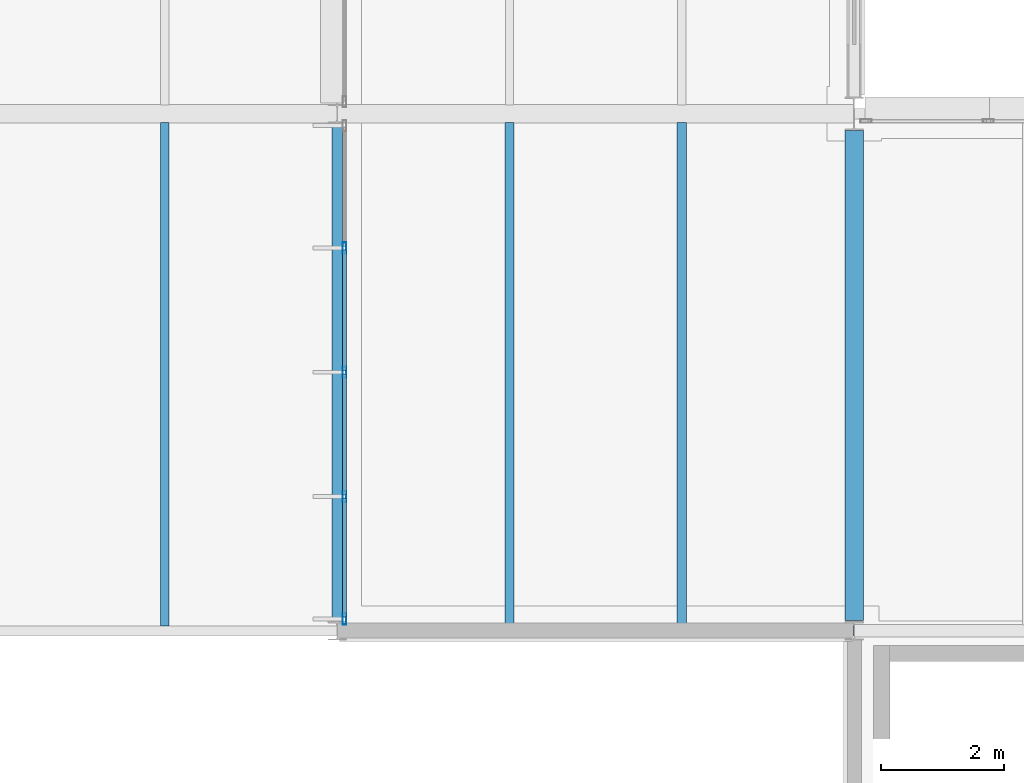
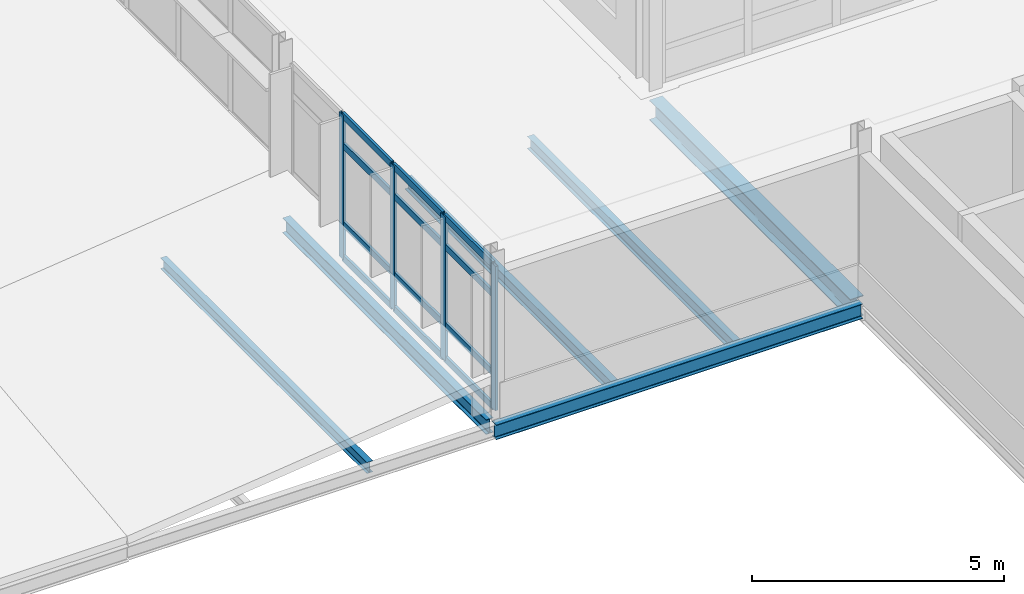
# One storey, part 15 of 131: 16 members, 6 beams, 1 element without a shape of its own.
"""IFC4 building model written with IfcOpenShell, lengths in metres."""

from ifc_helpers import new_model, si_unit, direction, frame, origin, origin_2d, place, context, subcontext, project, spatial, hollow_rectangle, i_section, extrude, material, material_profile, profile_set, type_object, element, aggregate, save


model = new_model("IFC4")

# Units and contexts
model_context = context("Model", 3, precision=1e-05, world=origin(), true_north=direction((0.0, 1.0)))
body_context = subcontext(model_context, "Body", "Model", "MODEL_VIEW")
ifc_project = project(units=[si_unit("LENGTHUNIT", "METRE"), si_unit("AREAUNIT", "SQUARE_METRE"), si_unit("VOLUMEUNIT", "CUBIC_METRE"), si_unit("PLANEANGLEUNIT", "RADIAN"), si_unit("MASSUNIT", "GRAM", prefix="KILO")], contexts=[model_context])

# Site, building, storey
site_placement = place(None, origin())
site = spatial("IfcSite", under=ifc_project, at=site_placement, CompositionType="ELEMENT")
building_placement = place(site_placement, origin())
building = spatial("IfcBuilding", under=site, at=building_placement, Name="Mersafa Astral City Hall", CompositionType="ELEMENT")
storey_placement = place(building_placement, frame((0.0, 0.0, 13.949951171875)))
storey = spatial("IfcBuildingStorey", under=building, at=storey_placement, Name="L03", CompositionType="ELEMENT", Elevation=13.949951171875)

# Curtain wall, members
ifc_material_1 = material(Name="Anodised bronze aluminium framing", Category="aluminium")
curtain_wall_type = type_object("IfcCurtainWallType", Name="ENV-CW-5", PredefinedType="USERDEFINED", material=ifc_material_1)
curtain_wall_placement = place(storey_placement, origin())
curtain_wall = element("IfcCurtainWall", 1, at=curtain_wall_placement, inside=storey, type_object=curtain_wall_type, Name="L03 Unitised solar curtain wall 148", ObjectType="UNITISED CURTAIN WALL", PredefinedType="USERDEFINED")
ifc_material_profile_1 = material_profile(ifc_material_1, hollow_rectangle(XDim=0.06005859375, YDim=0.179931640625, WallThickness=0.00390625, at=origin_2d()), Name="RHS 60x180x4")
ifc_profile_set_1 = profile_set([ifc_material_profile_1], Name="Anodised bronze aluminium framing")
member_type_1 = type_object("IfcMemberType", Name="ENV-CW-MUL-1", PredefinedType="MULLION", material=ifc_profile_set_1)
member_1_placement = place(storey_placement, frame((109.320068359375, 31.4189453125, -0.001953125), z_axis=(0.0, 0.0, 1.0), x_axis=(1.0, 0.0, 0.0)))
member_1 = element("IfcMember", 2, at=member_1_placement, type_object=member_type_1, Name="CW-5 mullion 2", PredefinedType="MULLION", context=body_context, shape_type="SweptSolid", body=[
    extrude(hollow_rectangle(XDim=0.06005859375, YDim=0.179931640625, WallThickness=0.00390625, at=origin_2d()), origin(), (0.0, 0.0, 1.0), 3.489013671875),
])
member_2_placement = place(storey_placement, frame((109.320068359375, 29.39990234375, -0.001953125), z_axis=(0.0, 0.0, 1.0), x_axis=(1.0, 0.0, 0.0)))
member_2 = element("IfcMember", 3, at=member_2_placement, type_object=member_type_1, Name="CW-5 mullion 3", PredefinedType="MULLION", context=body_context, shape_type="SweptSolid", body=[
    extrude(hollow_rectangle(XDim=0.06005859375, YDim=0.179931640625, WallThickness=0.00390625, at=origin_2d()), origin(), (0.0, 0.0, 1.0), 3.489013671875),
])
member_3_placement = place(storey_placement, frame((109.320068359375, 27.381103515625, -0.001953125), z_axis=(0.0, 0.0, 1.0), x_axis=(1.0, 0.0, 0.0)))
member_3 = element("IfcMember", 4, at=member_3_placement, type_object=member_type_1, Name="CW-5 mullion 4", PredefinedType="MULLION", context=body_context, shape_type="SweptSolid", body=[
    extrude(hollow_rectangle(XDim=0.06005859375, YDim=0.179931640625, WallThickness=0.00390625, at=origin_2d()), origin(), (0.0, 0.0, 1.0), 3.489013671875),
])
member_4_placement = place(storey_placement, frame((109.320068359375, 25.39208984375, -0.001953125), z_axis=(0.0, 0.0, 1.0), x_axis=(1.0, 0.0, 0.0)))
member_4 = element("IfcMember", 5, at=member_4_placement, type_object=member_type_1, Name="CW-5 mullion 5", PredefinedType="MULLION", context=body_context, shape_type="SweptSolid", body=[
    extrude(hollow_rectangle(XDim=0.06005859375, YDim=0.179931640625, WallThickness=0.00390625, at=origin_2d()), origin(), (0.0, 0.0, 1.0), 3.489013671875),
])
ifc_material_profile_2 = material_profile(ifc_material_1, hollow_rectangle(XDim=0.06005859375, YDim=0.159912109375, WallThickness=0.00390625, at=origin_2d()), Name="RHS 60x160x4")
ifc_profile_set_2 = profile_set([ifc_material_profile_2], Name="Anodised bronze aluminium framing")
member_type_2 = type_object("IfcMemberType", Name="ENV-CW-TRN-2", PredefinedType="USERDEFINED", material=ifc_profile_set_2)
member_5_placement = place(storey_placement, frame((109.320068359375, 31.388916015625, 0.028076171875), z_axis=(0.0, -1.0, 0.0), x_axis=(1.0, 0.0, 0.0)))
member_5 = element("IfcMember", 6, at=member_5_placement, type_object=member_type_2, Name="CW-5 transom 2.1", ObjectType="TRANSOM", PredefinedType="USERDEFINED", context=body_context, shape_type="SweptSolid", body=[
    extrude(hollow_rectangle(XDim=0.06005859375, YDim=0.159912109375, WallThickness=0.00390625, at=origin_2d()), origin(), (0.0, 0.0, 1.0), 1.958984375),
])
member_6_placement = place(storey_placement, frame((109.320068359375, 31.388916015625, 0.85009765625), z_axis=(0.0, -1.0, 0.0), x_axis=(1.0, 0.0, 0.0)))
member_6 = element("IfcMember", 7, at=member_6_placement, type_object=member_type_2, Name="CW-5 transom 2.2", ObjectType="TRANSOM", PredefinedType="USERDEFINED", context=body_context, shape_type="SweptSolid", body=[
    extrude(hollow_rectangle(XDim=0.06005859375, YDim=0.159912109375, WallThickness=0.00390625, at=origin_2d()), origin(), (0.0, 0.0, 1.0), 1.958984375),
])
member_7_placement = place(storey_placement, frame((109.320068359375, 31.388916015625, 2.75), z_axis=(0.0, -1.0, 0.0), x_axis=(1.0, 0.0, 0.0)))
member_7 = element("IfcMember", 8, at=member_7_placement, type_object=member_type_2, Name="CW-5 transom 2.3", ObjectType="TRANSOM", PredefinedType="USERDEFINED", context=body_context, shape_type="SweptSolid", body=[
    extrude(hollow_rectangle(XDim=0.06005859375, YDim=0.159912109375, WallThickness=0.00390625, at=origin_2d()), origin(), (0.0, 0.0, 1.0), 1.958984375),
])
member_8_placement = place(storey_placement, frame((109.320068359375, 31.388916015625, 3.45703125), z_axis=(0.0, -1.0, 0.0), x_axis=(1.0, 0.0, 0.0)))
member_8 = element("IfcMember", 9, at=member_8_placement, type_object=member_type_2, Name="CW-5 transom 2.4", ObjectType="TRANSOM", PredefinedType="USERDEFINED", context=body_context, shape_type="SweptSolid", body=[
    extrude(hollow_rectangle(XDim=0.06005859375, YDim=0.159912109375, WallThickness=0.00390625, at=origin_2d()), origin(), (0.0, 0.0, 1.0), 1.958984375),
])
member_9_placement = place(storey_placement, frame((109.320068359375, 29.3701171875, 0.028076171875), z_axis=(0.0, -1.0, 0.0), x_axis=(1.0, 0.0, 0.0)))
member_9 = element("IfcMember", 10, at=member_9_placement, type_object=member_type_2, Name="CW-5 transom 3.1", ObjectType="TRANSOM", PredefinedType="USERDEFINED", context=body_context, shape_type="SweptSolid", body=[
    extrude(hollow_rectangle(XDim=0.06005859375, YDim=0.159912109375, WallThickness=0.00390625, at=origin_2d()), origin(), (0.0, 0.0, 1.0), 1.959228515625),
])
member_10_placement = place(storey_placement, frame((109.320068359375, 29.3701171875, 0.85009765625), z_axis=(0.0, -1.0, 0.0), x_axis=(1.0, 0.0, 0.0)))
member_10 = element("IfcMember", 11, at=member_10_placement, type_object=member_type_2, Name="CW-5 transom 3.2", ObjectType="TRANSOM", PredefinedType="USERDEFINED", context=body_context, shape_type="SweptSolid", body=[
    extrude(hollow_rectangle(XDim=0.06005859375, YDim=0.159912109375, WallThickness=0.00390625, at=origin_2d()), origin(), (0.0, 0.0, 1.0), 1.959228515625),
])
member_11_placement = place(storey_placement, frame((109.320068359375, 29.3701171875, 2.75), z_axis=(0.0, -1.0, 0.0), x_axis=(1.0, 0.0, 0.0)))
member_11 = element("IfcMember", 12, at=member_11_placement, type_object=member_type_2, Name="CW-5 transom 3.3", ObjectType="TRANSOM", PredefinedType="USERDEFINED", context=body_context, shape_type="SweptSolid", body=[
    extrude(hollow_rectangle(XDim=0.06005859375, YDim=0.159912109375, WallThickness=0.00390625, at=origin_2d()), origin(), (0.0, 0.0, 1.0), 1.959228515625),
])
member_12_placement = place(storey_placement, frame((109.320068359375, 29.3701171875, 3.45703125), z_axis=(0.0, -1.0, 0.0), x_axis=(1.0, 0.0, 0.0)))
member_12 = element("IfcMember", 13, at=member_12_placement, type_object=member_type_2, Name="CW-5 transom 3.4", ObjectType="TRANSOM", PredefinedType="USERDEFINED", context=body_context, shape_type="SweptSolid", body=[
    extrude(hollow_rectangle(XDim=0.06005859375, YDim=0.159912109375, WallThickness=0.00390625, at=origin_2d()), origin(), (0.0, 0.0, 1.0), 1.959228515625),
])
member_13_placement = place(storey_placement, frame((109.320068359375, 27.35107421875, 0.028076171875), z_axis=(0.0, -1.0, 0.0), x_axis=(1.0, 0.0, 0.0)))
member_13 = element("IfcMember", 14, at=member_13_placement, type_object=member_type_2, Name="CW-5 transom 4.1", ObjectType="TRANSOM", PredefinedType="USERDEFINED", context=body_context, shape_type="SweptSolid", body=[
    extrude(hollow_rectangle(XDim=0.06005859375, YDim=0.159912109375, WallThickness=0.00390625, at=origin_2d()), origin(), (0.0, 0.0, 1.0), 1.928955078125),
])
member_14_placement = place(storey_placement, frame((109.320068359375, 27.35107421875, 0.85009765625), z_axis=(0.0, -1.0, 0.0), x_axis=(1.0, 0.0, 0.0)))
member_14 = element("IfcMember", 15, at=member_14_placement, type_object=member_type_2, Name="CW-5 transom 4.2", ObjectType="TRANSOM", PredefinedType="USERDEFINED", context=body_context, shape_type="SweptSolid", body=[
    extrude(hollow_rectangle(XDim=0.06005859375, YDim=0.159912109375, WallThickness=0.00390625, at=origin_2d()), origin(), (0.0, 0.0, 1.0), 1.928955078125),
])
member_15_placement = place(storey_placement, frame((109.320068359375, 27.35107421875, 2.75), z_axis=(0.0, -1.0, 0.0), x_axis=(1.0, 0.0, 0.0)))
member_15 = element("IfcMember", 16, at=member_15_placement, type_object=member_type_2, Name="CW-5 transom 4.3", ObjectType="TRANSOM", PredefinedType="USERDEFINED", context=body_context, shape_type="SweptSolid", body=[
    extrude(hollow_rectangle(XDim=0.06005859375, YDim=0.159912109375, WallThickness=0.00390625, at=origin_2d()), origin(), (0.0, 0.0, 1.0), 1.928955078125),
])
member_16_placement = place(storey_placement, frame((109.320068359375, 27.35107421875, 3.45703125), z_axis=(0.0, -1.0, 0.0), x_axis=(1.0, 0.0, 0.0)))
member_16 = element("IfcMember", 17, at=member_16_placement, type_object=member_type_2, Name="CW-5 transom 4.4", ObjectType="TRANSOM", PredefinedType="USERDEFINED", context=body_context, shape_type="SweptSolid", body=[
    extrude(hollow_rectangle(XDim=0.06005859375, YDim=0.159912109375, WallThickness=0.00390625, at=origin_2d()), origin(), (0.0, 0.0, 1.0), 1.928955078125),
])
aggregate(curtain_wall, [member_1, member_2, member_3, member_4, member_5, member_6, member_7, member_8, member_9, member_10, member_11, member_12, member_13, member_14, member_15, member_16])

# Beams
ifc_material_2 = material(Name="Steel S355", Category="steel")
ifc_material_profile_3 = material_profile(ifc_material_2, i_section(OverallWidth=0.300048828125, OverallDepth=0.489990234375, WebThickness=0.011962890625, FlangeThickness=0.02294921875, FilletRadius=0.027099609375, at=origin_2d()), Name="HEA 500")
ifc_profile_set_3 = profile_set([ifc_material_profile_3], Name="Steel S355")
beam_type_1 = type_object("IfcBeamType", Name="STR-BM-HEA500", PredefinedType="BEAM", material=ifc_profile_set_3)
beam_1_placement = place(storey_placement, frame((117.60009765625, 25.364990234375, -0.445068359375), z_axis=(0.0, 1.0, 0.0), x_axis=(-1.0, 0.0, 0.0)))
element("IfcBeam", 18, at=beam_1_placement, inside=storey, type_object=beam_type_1, Name="L03 Primary girder Y 14-3", PredefinedType="BEAM", context=body_context, shape_type="SweptSolid", body=[
    extrude(i_section(OverallWidth=0.300048828125, OverallDepth=0.489990234375, WebThickness=0.011962890625, FlangeThickness=0.02294921875, FilletRadius=0.027099609375, at=origin_2d()), origin(), (0.0, 0.0, 1.0), 7.965087890625),
])
ifc_material_profile_4 = material_profile(ifc_material_2, i_section(OverallWidth=0.135009765625, OverallDepth=0.27001953125, WebThickness=0.006591796875, FlangeThickness=0.01025390625, FilletRadius=0.014892578125, at=origin_2d()), Name="IPE 270")
ifc_profile_set_4 = profile_set([ifc_material_profile_4], Name="Steel S355")
beam_type_2 = type_object("IfcBeamType", Name="STR-BM-JOIST-IPE270", PredefinedType="JOIST", material=ifc_profile_set_4)
beam_2_placement = place(storey_placement, frame((106.39990234375, 25.27490234375, -0.3349609375), z_axis=(0.0, 1.0, 0.0), x_axis=(-1.0, 0.0, 0.0)))
element("IfcBeam", 19, at=beam_2_placement, inside=storey, type_object=beam_type_2, Name="L03 Flat roof secondary joist 20", PredefinedType="JOIST", context=body_context, shape_type="SweptSolid", body=[
    extrude(i_section(OverallWidth=0.135009765625, OverallDepth=0.27001953125, WebThickness=0.006591796875, FlangeThickness=0.01025390625, FilletRadius=0.014892578125, at=origin_2d()), origin(), (0.0, 0.0, 1.0), 8.18017578125),
])
ifc_material_profile_5 = material_profile(ifc_material_2, i_section(OverallWidth=0.14990234375, OverallDepth=0.300048828125, WebThickness=0.007080078125, FlangeThickness=0.0107421875, FilletRadius=0.014892578125, at=origin_2d()), Name="IPE 300")
ifc_profile_set_5 = profile_set([ifc_material_profile_5], Name="Steel S355")
beam_type_3 = type_object("IfcBeamType", Name="STR-BM-JOIST-IPE300", PredefinedType="JOIST", material=ifc_profile_set_5)
for number, where, z_axis, x_axis, name in (
    (20, (112.0, 25.280029296875, -0.349853515625), (0.0, 1.0, 0.0), (-1.0, 0.0, 0.0), "L03 Composite secondary floor joist 606"),
    (21, (114.800048828125, 25.280029296875, -0.349853515625), (0.0, 1.0, 0.0), (-1.0, 0.0, 0.0), "L03 Composite secondary floor joist 607"),
):
    element("IfcBeam", number, at=place(storey_placement, frame(where, z_axis=z_axis, x_axis=x_axis)), inside=storey, type_object=beam_type_3, Name=name, PredefinedType="JOIST", context=body_context, shape_type="SweptSolid", body=[
        extrude(i_section(OverallWidth=0.14990234375, OverallDepth=0.300048828125, WebThickness=0.007080078125, FlangeThickness=0.0107421875, FilletRadius=0.014892578125, at=origin_2d()), origin(), (0.0, 0.0, 1.0), 8.175048828125),
    ])
ifc_material_profile_6 = material_profile(ifc_material_2, i_section(OverallWidth=0.169921875, OverallDepth=0.360107421875, WebThickness=0.008056640625, FlangeThickness=0.0126953125, FilletRadius=0.01806640625, at=origin_2d()), Name="IPE 360")
ifc_profile_set_6 = profile_set([ifc_material_profile_6], Name="Steel S355")
beam_type_4 = type_object("IfcBeamType", Name="STR-BM-SPANDREL-IPE360", PredefinedType="SPANDREL", material=ifc_profile_set_6)
beam_3_placement = place(storey_placement, frame((109.202880859375, 25.199951171875, -0.3798828125), z_axis=(1.0, 0.0, 0.0), x_axis=(0.0, 1.0, 0.0)))
element("IfcBeam", 22, at=beam_3_placement, inside=storey, type_object=beam_type_4, Name="L03 Primary girder X 13-3", PredefinedType="SPANDREL", context=body_context, shape_type="SweptSolid", body=[
    extrude(i_section(OverallWidth=0.169921875, OverallDepth=0.360107421875, WebThickness=0.008056640625, FlangeThickness=0.0126953125, FilletRadius=0.01806640625, at=origin_2d()), origin(), (0.0, 0.0, 1.0), 8.39404296875),
])
beam_4_placement = place(storey_placement, frame((109.199951171875, 25.375, -0.3798828125), z_axis=(0.0, 1.0, 0.0), x_axis=(-1.0, 0.0, 0.0)))
element("IfcBeam", 23, at=beam_4_placement, inside=storey, type_object=beam_type_4, Name="L03 Primary girder Y 13-3", PredefinedType="SPANDREL", context=body_context, shape_type="SweptSolid", body=[
    extrude(i_section(OverallWidth=0.169921875, OverallDepth=0.360107421875, WebThickness=0.008056640625, FlangeThickness=0.0126953125, FilletRadius=0.01806640625, at=origin_2d()), origin(), (0.0, 0.0, 1.0), 8.06005859375),
])

save(model, "model.ifc")
